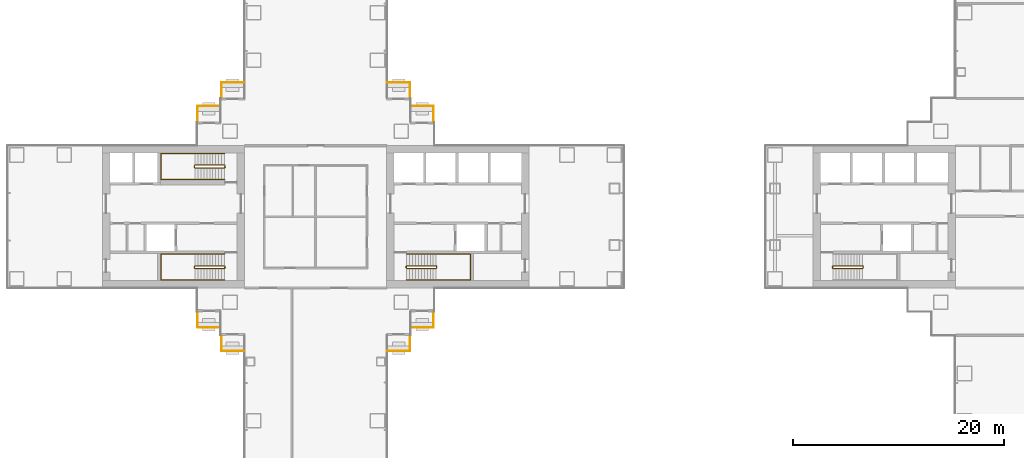
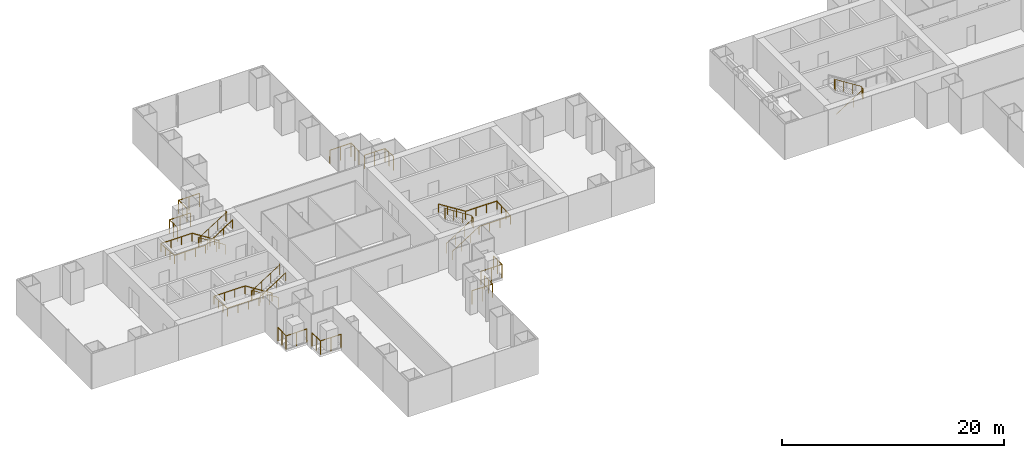
# One storey, part 19 of 21: 15 railings.
"""IFC4 building model written with IfcOpenShell, lengths in metres."""

from ifc_helpers import new_model, si_unit, direction, frame, origin, origin_2d, place, context, subcontext, project, spatial, circle, extrude, material, type_object, element, save


model = new_model("IFC4")

# Units and contexts
model_context = context("Model", 3, precision=1e-05, world=origin(), true_north=direction((0.0, 1.0)))
body_context = subcontext(model_context, "Body", "Model", "MODEL_VIEW")
ifc_project = project(units=[si_unit("LENGTHUNIT", "METRE"), si_unit("AREAUNIT", "SQUARE_METRE"), si_unit("VOLUMEUNIT", "CUBIC_METRE"), si_unit("PLANEANGLEUNIT", "RADIAN"), si_unit("MASSUNIT", "GRAM", prefix="KILO")], contexts=[model_context])

# Site, building, storey
site_placement = place(None, origin())
site = spatial("IfcSite", under=ifc_project, at=site_placement, CompositionType="ELEMENT")
building_placement = place(site_placement, origin())
building = spatial("IfcBuilding", under=site, at=building_placement, Name="Shamsa Quay Exchange Towers", CompositionType="ELEMENT")
storey_placement = place(building_placement, frame((0.0, 0.0, 61.5)))
storey = spatial("IfcBuildingStorey", under=building, at=storey_placement, Name="L13", CompositionType="ELEMENT", Elevation=61.5)

# Railings
ifc_material_1 = material(Name="Steel S355, black powder-coated", Category="steel")
railing_type_1 = type_object("IfcRailingType", Name="BALCONY GUARD 1500", PredefinedType="GUARDRAIL", material=ifc_material_1)
for number, where, name in (
    (1, (-22.550048828125, 9.02099609375, 0.0), "Balcony guard T1-PKEN L13"),
    (2, (-24.800048828125, 11.27099609375, 0.0), "Balcony guard T1-PKEN L13"),
):
    element("IfcRailing", number, at=place(storey_placement, frame(where)), inside=storey, type_object=railing_type_1, Name=name, PredefinedType="GUARDRAIL", context=body_context, shape_type="SweptSolid", body=[
        extrude(circle(Radius=0.02392578125, at=origin_2d()), frame((0.0, 0.0, 1.47607421875), z_axis=(0.0, 1.0, 0.0), x_axis=(-1.0, 0.0, 0.0)), (0.0, 0.0, 1.0), 1.47900390625),
        extrude(circle(Radius=0.02392578125, at=origin_2d()), frame((0.0, 1.47900390625, 1.47607421875), z_axis=(-1.0, 0.0, 0.0), x_axis=(0.0, -1.0, 0.0)), (0.0, 0.0, 1.0), 2.161865234375),
        extrude(circle(Radius=0.02099609375, at=origin_2d()), origin(), (0.0, 0.0, 1.0), 1.451904296875),
        extrude(circle(Radius=0.02099609375, at=origin_2d()), frame((0.0, 0.739501953125, 0.0)), (0.0, 0.0, 1.0), 1.451904296875),
        extrude(circle(Radius=0.02099609375, at=origin_2d()), frame((0.0, 1.47900390625, 0.0)), (0.0, 0.0, 1.0), 1.451904296875),
        extrude(circle(Radius=0.02099609375, at=origin_2d()), frame((-1.0810546875, 1.47900390625, 0.0)), (0.0, 0.0, 1.0), 1.451904296875),
        extrude(circle(Radius=0.02099609375, at=origin_2d()), frame((-2.161865234375, 1.47900390625, 0.0)), (0.0, 0.0, 1.0), 1.451904296875),
    ])
for number, where, name in (
    (3, (-24.7119140625, -10.5, 0.0), "Balcony guard T1-PKES L13"),
    (4, (-26.9619140625, -12.75, 0.0), "Balcony guard T1-PKES L13"),
):
    element("IfcRailing", number, at=place(storey_placement, frame(where)), inside=storey, type_object=railing_type_1, Name=name, PredefinedType="GUARDRAIL", context=body_context, shape_type="SweptSolid", body=[
        extrude(circle(Radius=0.02392578125, at=origin_2d()), frame((0.0, 0.0, 1.47607421875), z_axis=(1.0, 0.0, 0.0), x_axis=(0.0, 1.0, 0.0)), (0.0, 0.0, 1.0), 2.161865234375),
        extrude(circle(Radius=0.02392578125, at=origin_2d()), frame((2.161865234375, 0.0, 1.47607421875), z_axis=(0.0, 1.0, 0.0), x_axis=(-1.0, 0.0, 0.0)), (0.0, 0.0, 1.0), 1.47900390625),
        extrude(circle(Radius=0.02099609375, at=origin_2d()), origin(), (0.0, 0.0, 1.0), 1.451904296875),
        extrude(circle(Radius=0.02099609375, at=origin_2d()), frame((1.0810546875, 0.0, 0.0)), (0.0, 0.0, 1.0), 1.451904296875),
        extrude(circle(Radius=0.02099609375, at=origin_2d()), frame((2.161865234375, 0.0, 0.0)), (0.0, 0.0, 1.0), 1.451904296875),
        extrude(circle(Radius=0.02099609375, at=origin_2d()), frame((2.161865234375, 0.739501953125, 0.0)), (0.0, 0.0, 1.0), 1.451904296875),
        extrude(circle(Radius=0.02099609375, at=origin_2d()), frame((2.161865234375, 1.47900390625, 0.0)), (0.0, 0.0, 1.0), 1.451904296875),
    ])
for number, where, name in (
    (5, (-40.5380859375, 12.75, 0.0), "Balcony guard T1-PKWN L13"),
    (6, (-42.7880859375, 10.5, 0.0), "Balcony guard T1-PKWN L13"),
):
    element("IfcRailing", number, at=place(storey_placement, frame(where)), inside=storey, type_object=railing_type_1, Name=name, PredefinedType="GUARDRAIL", context=body_context, shape_type="SweptSolid", body=[
        extrude(circle(Radius=0.02392578125, at=origin_2d()), frame((0.0, 0.0, 1.47607421875), z_axis=(-1.0, 0.0, 0.0), x_axis=(0.0, -1.0, 0.0)), (0.0, 0.0, 1.0), 2.161865234375),
        extrude(circle(Radius=0.02392578125, at=origin_2d()), frame((-2.161865234375, 0.0, 1.47607421875), z_axis=(0.0, -1.0, 0.0), x_axis=(1.0, 0.0, 0.0)), (0.0, 0.0, 1.0), 1.47900390625),
        extrude(circle(Radius=0.02099609375, at=origin_2d()), origin(), (0.0, 0.0, 1.0), 1.451904296875),
        extrude(circle(Radius=0.02099609375, at=origin_2d()), frame((-1.0810546875, 0.0, 0.0)), (0.0, 0.0, 1.0), 1.451904296875),
        extrude(circle(Radius=0.02099609375, at=origin_2d()), frame((-2.161865234375, 0.0, 0.0)), (0.0, 0.0, 1.0), 1.451904296875),
        extrude(circle(Radius=0.02099609375, at=origin_2d()), frame((-2.161865234375, -0.739501953125, 0.0)), (0.0, 0.0, 1.0), 1.451904296875),
        extrude(circle(Radius=0.02099609375, at=origin_2d()), frame((-2.161865234375, -1.47900390625, 0.0)), (0.0, 0.0, 1.0), 1.451904296875),
    ])
for number, where, name in (
    (7, (-44.949951171875, -9.02099609375, 0.0), "Balcony guard T1-PKWS L13"),
    (8, (-42.699951171875, -11.27099609375, 0.0), "Balcony guard T1-PKWS L13"),
):
    element("IfcRailing", number, at=place(storey_placement, frame(where)), inside=storey, type_object=railing_type_1, Name=name, PredefinedType="GUARDRAIL", context=body_context, shape_type="SweptSolid", body=[
        extrude(circle(Radius=0.02392578125, at=origin_2d()), frame((0.0, 0.0, 1.47607421875), z_axis=(0.0, -1.0, 0.0), x_axis=(1.0, 0.0, 0.0)), (0.0, 0.0, 1.0), 1.47900390625),
        extrude(circle(Radius=0.02392578125, at=origin_2d()), frame((0.0, -1.47900390625, 1.47607421875), z_axis=(1.0, 0.0, 0.0), x_axis=(0.0, 1.0, 0.0)), (0.0, 0.0, 1.0), 2.161865234375),
        extrude(circle(Radius=0.02099609375, at=origin_2d()), origin(), (0.0, 0.0, 1.0), 1.451904296875),
        extrude(circle(Radius=0.02099609375, at=origin_2d()), frame((0.0, -0.739501953125, 0.0)), (0.0, 0.0, 1.0), 1.451904296875),
        extrude(circle(Radius=0.02099609375, at=origin_2d()), frame((0.0, -1.47900390625, 0.0)), (0.0, 0.0, 1.0), 1.451904296875),
        extrude(circle(Radius=0.02099609375, at=origin_2d()), frame((1.0810546875, -1.47900390625, 0.0)), (0.0, 0.0, 1.0), 1.451904296875),
        extrude(circle(Radius=0.02099609375, at=origin_2d()), frame((2.161865234375, -1.47900390625, 0.0)), (0.0, 0.0, 1.0), 1.451904296875),
    ])
ifc_material_2 = material(Name="Stainless steel", Category="steel")
railing_type_2 = type_object("IfcRailingType", Name="STAIR GUARD 1100", PredefinedType="GUARDRAIL", material=ifc_material_2)
railing_1_placement = place(storey_placement, frame((-25.10009765625, -4.89990234375, 0.17724609375)))
element("IfcRailing", 9, at=railing_1_placement, inside=storey, type_object=railing_type_2, Name="L13 ST1 stair guard 1", PredefinedType="GUARDRAIL", context=body_context, shape_type="SweptSolid", body=[
    extrude(circle(Radius=0.02392578125, at=origin_2d()), frame((0.0, 0.0, 1.076171875), z_axis=(0.844908973607, 0.0, 0.534910110503), x_axis=(0.0, 1.0, 0.0)), (0.0, 0.0, 1.0), 3.31396484375),
    extrude(circle(Radius=0.02392578125, at=origin_2d()), frame((2.800048828125, 0.0, 2.8486328125), z_axis=(0.708833529934, 0.705375805398, 0.0), x_axis=(-0.705375805398, 0.708833529934, 0.0)), (0.0, 0.0, 1.0), 0.070556640625),
    extrude(circle(Radius=0.02392578125, at=origin_2d()), frame((2.85009765625, 0.0498046875, 2.8486328125), z_axis=(0.0, 1.0, 0.0), x_axis=(-1.0, 0.0, 0.0)), (0.0, 0.0, 1.0), 0.150146484375),
    extrude(circle(Radius=0.02392578125, at=origin_2d()), frame((2.85009765625, 0.199951171875, 2.8486328125), z_axis=(-0.262233686654, 0.262233686654, 0.928691007369), x_axis=(-0.707106781187, -0.707106781187, 0.0)), (0.0, 0.0, 1.0), 0.19091796875),
    extrude(circle(Radius=0.02392578125, at=origin_2d()), frame((2.800048828125, 0.25, 3.02587890625), z_axis=(-0.844908973607, 0.0, 0.534910110503), x_axis=(0.0, -1.0, 0.0)), (0.0, 0.0, 1.0), 3.31396484375),
    extrude(circle(Radius=0.02392578125, at=origin_2d()), frame((0.0, 0.25, 4.798828125), z_axis=(-0.24142163986, -0.970420317083, 0.0), x_axis=(0.970420317083, -0.24142163986, 0.0)), (0.0, 0.0, 1.0), 0.206298828125),
    extrude(circle(Radius=0.02392578125, at=origin_2d()), frame((-0.0498046875, 0.0498046875, 4.798828125), z_axis=(0.0, 1.0, 0.0), x_axis=(-1.0, 0.0, 0.0)), (0.0, 0.0, 1.0), 0.150146484375),
    extrude(circle(Radius=0.02099609375, at=origin_2d()), origin(), (0.0, 0.0, 1.0), 1.052001953125),
    extrude(circle(Radius=0.02099609375, at=origin_2d()), frame((0.933349609375, 0.0, 0.5908203125)), (0.0, 0.0, 1.0), 1.052001953125),
    extrude(circle(Radius=0.02099609375, at=origin_2d()), frame((1.86669921875, 0.0, 1.181884765625)), (0.0, 0.0, 1.0), 1.052001953125),
    extrude(circle(Radius=0.02099609375, at=origin_2d()), frame((2.800048828125, 0.0, 1.772705078125)), (0.0, 0.0, 1.0), 1.052001953125),
    extrude(circle(Radius=0.02099609375, at=origin_2d()), frame((2.85009765625, 0.0498046875, 1.772705078125)), (0.0, 0.0, 1.0), 1.052001953125),
    extrude(circle(Radius=0.02099609375, at=origin_2d()), frame((2.85009765625, 0.199951171875, 1.772705078125)), (0.0, 0.0, 1.0), 1.052001953125),
    extrude(circle(Radius=0.02099609375, at=origin_2d()), frame((2.800048828125, 0.25, 1.949951171875)), (0.0, 0.0, 1.0), 1.052001953125),
    extrude(circle(Radius=0.02099609375, at=origin_2d()), frame((1.86669921875, 0.25, 2.540771484375)), (0.0, 0.0, 1.0), 1.052001953125),
    extrude(circle(Radius=0.02099609375, at=origin_2d()), frame((0.933349609375, 0.25, 3.1318359375)), (0.0, 0.0, 1.0), 1.052001953125),
    extrude(circle(Radius=0.02099609375, at=origin_2d()), frame((0.0, 0.25, 3.72265625)), (0.0, 0.0, 1.0), 1.052001953125),
    extrude(circle(Radius=0.02099609375, at=origin_2d()), frame((-0.0498046875, 0.0498046875, 3.72265625)), (0.0, 0.0, 1.0), 1.052001953125),
    extrude(circle(Radius=0.02099609375, at=origin_2d()), frame((-0.0498046875, 0.199951171875, 3.72265625)), (0.0, 0.0, 1.0), 1.052001953125),
])
railing_2_placement = place(storey_placement, frame((-42.39990234375, -4.64990234375, 0.17724609375)))
element("IfcRailing", 10, at=railing_2_placement, inside=storey, type_object=railing_type_2, Name="L13 ST2 stair guard 1", PredefinedType="GUARDRAIL", context=body_context, shape_type="SweptSolid", body=[
    extrude(circle(Radius=0.02392578125, at=origin_2d()), frame((0.0, 0.0, 1.076171875), z_axis=(-0.844908973607, 0.0, 0.534910110503), x_axis=(0.0, -1.0, 0.0)), (0.0, 0.0, 1.0), 3.31396484375),
    extrude(circle(Radius=0.02392578125, at=origin_2d()), frame((-2.800048828125, 0.0, 2.8486328125), z_axis=(-0.707106781187, -0.707106781187, 0.0), x_axis=(0.707106781187, -0.707106781187, 0.0)), (0.0, 0.0, 1.0), 0.07080078125),
    extrude(circle(Radius=0.02392578125, at=origin_2d()), frame((-2.85009765625, -0.050048828125, 2.8486328125), z_axis=(0.0, -1.0, 0.0), x_axis=(1.0, 0.0, 0.0)), (0.0, 0.0, 1.0), 0.150146484375),
    extrude(circle(Radius=0.02392578125, at=origin_2d()), frame((-2.85009765625, -0.2001953125, 2.8486328125), z_axis=(0.262321481514, -0.261041864531, 0.929001929653), x_axis=(0.705375805398, 0.708833529934, 0.0)), (0.0, 0.0, 1.0), 0.190673828125),
    extrude(circle(Radius=0.02392578125, at=origin_2d()), frame((-2.800048828125, -0.25, 3.02587890625), z_axis=(0.844908973607, 0.0, 0.534910110503), x_axis=(0.0, 1.0, 0.0)), (0.0, 0.0, 1.0), 3.31396484375),
    extrude(circle(Radius=0.02392578125, at=origin_2d()), frame((0.0, -0.25, 4.798828125), z_axis=(0.241699205484, 0.970351222016, 0.0), x_axis=(-0.970351222016, 0.241699205484, 0.0)), (0.0, 0.0, 1.0), 0.2060546875),
    extrude(circle(Radius=0.02392578125, at=origin_2d()), frame((0.0498046875, -0.050048828125, 4.798828125), z_axis=(0.0, -1.0, 0.0), x_axis=(1.0, 0.0, 0.0)), (0.0, 0.0, 1.0), 0.150146484375),
    extrude(circle(Radius=0.02099609375, at=origin_2d()), origin(), (0.0, 0.0, 1.0), 1.052001953125),
    extrude(circle(Radius=0.02099609375, at=origin_2d()), frame((-0.933349609375, 0.0, 0.5908203125)), (0.0, 0.0, 1.0), 1.052001953125),
    extrude(circle(Radius=0.02099609375, at=origin_2d()), frame((-1.86669921875, 0.0, 1.181884765625)), (0.0, 0.0, 1.0), 1.052001953125),
    extrude(circle(Radius=0.02099609375, at=origin_2d()), frame((-2.800048828125, 0.0, 1.772705078125)), (0.0, 0.0, 1.0), 1.052001953125),
    extrude(circle(Radius=0.02099609375, at=origin_2d()), frame((-2.85009765625, -0.050048828125, 1.772705078125)), (0.0, 0.0, 1.0), 1.052001953125),
    extrude(circle(Radius=0.02099609375, at=origin_2d()), frame((-2.85009765625, -0.2001953125, 1.772705078125)), (0.0, 0.0, 1.0), 1.052001953125),
    extrude(circle(Radius=0.02099609375, at=origin_2d()), frame((-2.800048828125, -0.25, 1.949951171875)), (0.0, 0.0, 1.0), 1.052001953125),
    extrude(circle(Radius=0.02099609375, at=origin_2d()), frame((-1.86669921875, -0.25, 2.540771484375)), (0.0, 0.0, 1.0), 1.052001953125),
    extrude(circle(Radius=0.02099609375, at=origin_2d()), frame((-0.933349609375, -0.25, 3.1318359375)), (0.0, 0.0, 1.0), 1.052001953125),
    extrude(circle(Radius=0.02099609375, at=origin_2d()), frame((0.0, -0.25, 3.72265625)), (0.0, 0.0, 1.0), 1.052001953125),
    extrude(circle(Radius=0.02099609375, at=origin_2d()), frame((0.0498046875, -0.050048828125, 3.72265625)), (0.0, 0.0, 1.0), 1.052001953125),
    extrude(circle(Radius=0.02099609375, at=origin_2d()), frame((0.0498046875, -0.2001953125, 3.72265625)), (0.0, 0.0, 1.0), 1.052001953125),
])
railing_3_placement = place(storey_placement, frame((-42.39990234375, 4.89990234375, 0.17724609375)))
element("IfcRailing", 11, at=railing_3_placement, inside=storey, type_object=railing_type_2, Name="L13 ST3 stair guard 1", PredefinedType="GUARDRAIL", context=body_context, shape_type="SweptSolid", body=[
    extrude(circle(Radius=0.02392578125, at=origin_2d()), frame((0.0, 0.0, 1.076171875), z_axis=(-0.844908973607, 0.0, 0.534910110503), x_axis=(0.0, -1.0, 0.0)), (0.0, 0.0, 1.0), 3.31396484375),
    extrude(circle(Radius=0.02392578125, at=origin_2d()), frame((-2.800048828125, 0.0, 2.8486328125), z_axis=(-0.708833529934, -0.705375805398, 0.0), x_axis=(0.705375805398, -0.708833529934, 0.0)), (0.0, 0.0, 1.0), 0.070556640625),
    extrude(circle(Radius=0.02392578125, at=origin_2d()), frame((-2.85009765625, -0.0498046875, 2.8486328125), z_axis=(0.0, -1.0, 0.0), x_axis=(1.0, 0.0, 0.0)), (0.0, 0.0, 1.0), 0.150146484375),
    extrude(circle(Radius=0.02392578125, at=origin_2d()), frame((-2.85009765625, -0.199951171875, 2.8486328125), z_axis=(0.262233686654, -0.262233686654, 0.928691007369), x_axis=(0.707106781187, 0.707106781187, 0.0)), (0.0, 0.0, 1.0), 0.19091796875),
    extrude(circle(Radius=0.02392578125, at=origin_2d()), frame((-2.800048828125, -0.25, 3.02587890625), z_axis=(0.844908973607, 0.0, 0.534910110503), x_axis=(0.0, 1.0, 0.0)), (0.0, 0.0, 1.0), 3.31396484375),
    extrude(circle(Radius=0.02392578125, at=origin_2d()), frame((0.0, -0.25, 4.798828125), z_axis=(0.24142163986, 0.970420317083, 0.0), x_axis=(-0.970420317083, 0.24142163986, 0.0)), (0.0, 0.0, 1.0), 0.206298828125),
    extrude(circle(Radius=0.02392578125, at=origin_2d()), frame((0.0498046875, -0.0498046875, 4.798828125), z_axis=(0.0, -1.0, 0.0), x_axis=(1.0, 0.0, 0.0)), (0.0, 0.0, 1.0), 0.150146484375),
    extrude(circle(Radius=0.02099609375, at=origin_2d()), origin(), (0.0, 0.0, 1.0), 1.052001953125),
    extrude(circle(Radius=0.02099609375, at=origin_2d()), frame((-0.933349609375, 0.0, 0.5908203125)), (0.0, 0.0, 1.0), 1.052001953125),
    extrude(circle(Radius=0.02099609375, at=origin_2d()), frame((-1.86669921875, 0.0, 1.181884765625)), (0.0, 0.0, 1.0), 1.052001953125),
    extrude(circle(Radius=0.02099609375, at=origin_2d()), frame((-2.800048828125, 0.0, 1.772705078125)), (0.0, 0.0, 1.0), 1.052001953125),
    extrude(circle(Radius=0.02099609375, at=origin_2d()), frame((-2.85009765625, -0.0498046875, 1.772705078125)), (0.0, 0.0, 1.0), 1.052001953125),
    extrude(circle(Radius=0.02099609375, at=origin_2d()), frame((-2.85009765625, -0.199951171875, 1.772705078125)), (0.0, 0.0, 1.0), 1.052001953125),
    extrude(circle(Radius=0.02099609375, at=origin_2d()), frame((-2.800048828125, -0.25, 1.949951171875)), (0.0, 0.0, 1.0), 1.052001953125),
    extrude(circle(Radius=0.02099609375, at=origin_2d()), frame((-1.86669921875, -0.25, 2.540771484375)), (0.0, 0.0, 1.0), 1.052001953125),
    extrude(circle(Radius=0.02099609375, at=origin_2d()), frame((-0.933349609375, -0.25, 3.1318359375)), (0.0, 0.0, 1.0), 1.052001953125),
    extrude(circle(Radius=0.02099609375, at=origin_2d()), frame((0.0, -0.25, 3.72265625)), (0.0, 0.0, 1.0), 1.052001953125),
    extrude(circle(Radius=0.02099609375, at=origin_2d()), frame((0.0498046875, -0.0498046875, 3.72265625)), (0.0, 0.0, 1.0), 1.052001953125),
    extrude(circle(Radius=0.02099609375, at=origin_2d()), frame((0.0498046875, -0.199951171875, 3.72265625)), (0.0, 0.0, 1.0), 1.052001953125),
])
railing_4_placement = place(storey_placement, frame((15.39990234375, -4.89990234375, 0.17724609375)))
element("IfcRailing", 12, at=railing_4_placement, inside=storey, type_object=railing_type_2, Name="L13 ST4 stair guard 1", PredefinedType="GUARDRAIL", context=body_context, shape_type="SweptSolid", body=[
    extrude(circle(Radius=0.02392578125, at=origin_2d()), frame((0.0, 0.0, 1.076171875), z_axis=(0.844908973607, 0.0, 0.534910110503), x_axis=(0.0, 1.0, 0.0)), (0.0, 0.0, 1.0), 3.31396484375),
    extrude(circle(Radius=0.02392578125, at=origin_2d()), frame((2.800048828125, 0.0, 2.8486328125), z_axis=(0.708833529934, 0.705375805398, 0.0), x_axis=(-0.705375805398, 0.708833529934, 0.0)), (0.0, 0.0, 1.0), 0.070556640625),
    extrude(circle(Radius=0.02392578125, at=origin_2d()), frame((2.85009765625, 0.0498046875, 2.8486328125), z_axis=(0.0, 1.0, 0.0), x_axis=(-1.0, 0.0, 0.0)), (0.0, 0.0, 1.0), 0.150146484375),
    extrude(circle(Radius=0.02392578125, at=origin_2d()), frame((2.85009765625, 0.199951171875, 2.8486328125), z_axis=(-0.262233686654, 0.262233686654, 0.928691007369), x_axis=(-0.707106781187, -0.707106781187, 0.0)), (0.0, 0.0, 1.0), 0.19091796875),
    extrude(circle(Radius=0.02392578125, at=origin_2d()), frame((2.800048828125, 0.25, 3.02587890625), z_axis=(-0.844908973607, 0.0, 0.534910110503), x_axis=(0.0, -1.0, 0.0)), (0.0, 0.0, 1.0), 3.31396484375),
    extrude(circle(Radius=0.02392578125, at=origin_2d()), frame((0.0, 0.25, 4.798828125), z_axis=(-0.24142163986, -0.970420317083, 0.0), x_axis=(0.970420317083, -0.24142163986, 0.0)), (0.0, 0.0, 1.0), 0.206298828125),
    extrude(circle(Radius=0.02392578125, at=origin_2d()), frame((-0.0498046875, 0.0498046875, 4.798828125), z_axis=(0.0, 1.0, 0.0), x_axis=(-1.0, 0.0, 0.0)), (0.0, 0.0, 1.0), 0.150146484375),
    extrude(circle(Radius=0.02099609375, at=origin_2d()), origin(), (0.0, 0.0, 1.0), 1.052001953125),
    extrude(circle(Radius=0.02099609375, at=origin_2d()), frame((0.933349609375, 0.0, 0.5908203125)), (0.0, 0.0, 1.0), 1.052001953125),
    extrude(circle(Radius=0.02099609375, at=origin_2d()), frame((1.86669921875, 0.0, 1.181884765625)), (0.0, 0.0, 1.0), 1.052001953125),
    extrude(circle(Radius=0.02099609375, at=origin_2d()), frame((2.800048828125, 0.0, 1.772705078125)), (0.0, 0.0, 1.0), 1.052001953125),
    extrude(circle(Radius=0.02099609375, at=origin_2d()), frame((2.85009765625, 0.0498046875, 1.772705078125)), (0.0, 0.0, 1.0), 1.052001953125),
    extrude(circle(Radius=0.02099609375, at=origin_2d()), frame((2.85009765625, 0.199951171875, 1.772705078125)), (0.0, 0.0, 1.0), 1.052001953125),
    extrude(circle(Radius=0.02099609375, at=origin_2d()), frame((2.800048828125, 0.25, 1.949951171875)), (0.0, 0.0, 1.0), 1.052001953125),
    extrude(circle(Radius=0.02099609375, at=origin_2d()), frame((1.86669921875, 0.25, 2.540771484375)), (0.0, 0.0, 1.0), 1.052001953125),
    extrude(circle(Radius=0.02099609375, at=origin_2d()), frame((0.933349609375, 0.25, 3.1318359375)), (0.0, 0.0, 1.0), 1.052001953125),
    extrude(circle(Radius=0.02099609375, at=origin_2d()), frame((0.0, 0.25, 3.72265625)), (0.0, 0.0, 1.0), 1.052001953125),
    extrude(circle(Radius=0.02099609375, at=origin_2d()), frame((-0.0498046875, 0.0498046875, 3.72265625)), (0.0, 0.0, 1.0), 1.052001953125),
    extrude(circle(Radius=0.02099609375, at=origin_2d()), frame((-0.0498046875, 0.199951171875, 3.72265625)), (0.0, 0.0, 1.0), 1.052001953125),
])
railing_type_3 = type_object("IfcRailingType", Name="STAIR HANDRAIL 900", PredefinedType="HANDRAIL", material=ifc_material_2)
railing_5_placement = place(storey_placement, frame((-25.10009765625, -6.0, 0.17724609375)))
element("IfcRailing", 13, at=railing_5_placement, inside=storey, type_object=railing_type_3, Name="L13 ST1 stair handrail 1", PredefinedType="HANDRAIL", context=body_context, shape_type="SweptSolid", body=[
    extrude(circle(Radius=0.02392578125, at=origin_2d()), frame((0.0, 0.0, 0.8759765625), z_axis=(0.844908973607, 0.0, 0.534910110503), x_axis=(0.0, 1.0, 0.0)), (0.0, 0.0, 1.0), 3.31396484375),
    extrude(circle(Radius=0.02392578125, at=origin_2d()), frame((2.800048828125, 0.0, 2.6484375), z_axis=(1.0, 0.0, 0.0), x_axis=(0.0, 1.0, 0.0)), (0.0, 0.0, 1.0), 3.25),
    extrude(circle(Radius=0.02392578125, at=origin_2d()), frame((6.050048828125, 0.0, 2.6484375), z_axis=(0.0, 0.997393199914, 0.07215819264), x_axis=(-1.0, 0.0, 0.0)), (0.0, 0.0, 1.0), 2.456298828125),
    extrude(circle(Radius=0.02392578125, at=origin_2d()), frame((6.050048828125, 2.449951171875, 2.82568359375), z_axis=(-1.0, 0.0, 0.0), x_axis=(0.0, -1.0, 0.0)), (0.0, 0.0, 1.0), 3.25),
    extrude(circle(Radius=0.02392578125, at=origin_2d()), frame((2.800048828125, 2.449951171875, 2.82568359375), z_axis=(-0.844908973607, 0.0, 0.534910110503), x_axis=(0.0, -1.0, 0.0)), (0.0, 0.0, 1.0), 3.31396484375),
    extrude(circle(Radius=0.02099609375, at=origin_2d()), origin(), (0.0, 0.0, 1.0), 0.851806640625),
    extrude(circle(Radius=0.02099609375, at=origin_2d()), frame((0.933349609375, 0.0, 0.5908203125)), (0.0, 0.0, 1.0), 0.851806640625),
    extrude(circle(Radius=0.02099609375, at=origin_2d()), frame((1.86669921875, 0.0, 1.181884765625)), (0.0, 0.0, 1.0), 0.851806640625),
    extrude(circle(Radius=0.02099609375, at=origin_2d()), frame((2.800048828125, 0.0, 1.772705078125)), (0.0, 0.0, 1.0), 0.851806640625),
    extrude(circle(Radius=0.02099609375, at=origin_2d()), frame((3.88330078125, 0.0, 1.772705078125)), (0.0, 0.0, 1.0), 0.851806640625),
    extrude(circle(Radius=0.02099609375, at=origin_2d()), frame((4.966796875, 0.0, 1.772705078125)), (0.0, 0.0, 1.0), 0.851806640625),
    extrude(circle(Radius=0.02099609375, at=origin_2d()), frame((6.050048828125, 0.0, 1.772705078125)), (0.0, 0.0, 1.0), 0.851806640625),
    extrude(circle(Radius=0.02099609375, at=origin_2d()), frame((6.050048828125, 0.816650390625, 1.831787109375)), (0.0, 0.0, 1.0), 0.851806640625),
    extrude(circle(Radius=0.02099609375, at=origin_2d()), frame((6.050048828125, 1.63330078125, 1.890869140625)), (0.0, 0.0, 1.0), 0.851806640625),
    extrude(circle(Radius=0.02099609375, at=origin_2d()), frame((6.050048828125, 2.449951171875, 1.949951171875)), (0.0, 0.0, 1.0), 0.851806640625),
    extrude(circle(Radius=0.02099609375, at=origin_2d()), frame((4.966796875, 2.449951171875, 1.949951171875)), (0.0, 0.0, 1.0), 0.851806640625),
    extrude(circle(Radius=0.02099609375, at=origin_2d()), frame((3.88330078125, 2.449951171875, 1.949951171875)), (0.0, 0.0, 1.0), 0.851806640625),
    extrude(circle(Radius=0.02099609375, at=origin_2d()), frame((2.800048828125, 2.449951171875, 1.949951171875)), (0.0, 0.0, 1.0), 0.851806640625),
    extrude(circle(Radius=0.02099609375, at=origin_2d()), frame((1.86669921875, 2.449951171875, 2.540771484375)), (0.0, 0.0, 1.0), 0.851806640625),
    extrude(circle(Radius=0.02099609375, at=origin_2d()), frame((0.933349609375, 2.449951171875, 3.1318359375)), (0.0, 0.0, 1.0), 0.851806640625),
    extrude(circle(Radius=0.02099609375, at=origin_2d()), frame((0.0, 2.449951171875, 3.72265625)), (0.0, 0.0, 1.0), 0.851806640625),
])
railing_6_placement = place(storey_placement, frame((-42.39990234375, -3.550048828125, 0.17724609375)))
element("IfcRailing", 14, at=railing_6_placement, inside=storey, type_object=railing_type_3, Name="L13 ST2 stair handrail 1", PredefinedType="HANDRAIL", context=body_context, shape_type="SweptSolid", body=[
    extrude(circle(Radius=0.02392578125, at=origin_2d()), frame((0.0, 0.0, 0.8759765625), z_axis=(-0.844908973607, 0.0, 0.534910110503), x_axis=(0.0, -1.0, 0.0)), (0.0, 0.0, 1.0), 3.31396484375),
    extrude(circle(Radius=0.02392578125, at=origin_2d()), frame((-2.800048828125, 0.0, 2.6484375), z_axis=(-1.0, 0.0, 0.0), x_axis=(0.0, -1.0, 0.0)), (0.0, 0.0, 1.0), 3.25),
    extrude(circle(Radius=0.02392578125, at=origin_2d()), frame((-6.050048828125, 0.0, 2.6484375), z_axis=(0.0, -0.997393199914, 0.07215819264), x_axis=(1.0, 0.0, 0.0)), (0.0, 0.0, 1.0), 2.456298828125),
    extrude(circle(Radius=0.02392578125, at=origin_2d()), frame((-6.050048828125, -2.449951171875, 2.82568359375), z_axis=(1.0, 0.0, 0.0), x_axis=(0.0, 1.0, 0.0)), (0.0, 0.0, 1.0), 3.25),
    extrude(circle(Radius=0.02392578125, at=origin_2d()), frame((-2.800048828125, -2.449951171875, 2.82568359375), z_axis=(0.844908973607, 0.0, 0.534910110503), x_axis=(0.0, 1.0, 0.0)), (0.0, 0.0, 1.0), 3.31396484375),
    extrude(circle(Radius=0.02099609375, at=origin_2d()), origin(), (0.0, 0.0, 1.0), 0.851806640625),
    extrude(circle(Radius=0.02099609375, at=origin_2d()), frame((-0.933349609375, 0.0, 0.5908203125)), (0.0, 0.0, 1.0), 0.851806640625),
    extrude(circle(Radius=0.02099609375, at=origin_2d()), frame((-1.86669921875, 0.0, 1.181884765625)), (0.0, 0.0, 1.0), 0.851806640625),
    extrude(circle(Radius=0.02099609375, at=origin_2d()), frame((-2.800048828125, 0.0, 1.772705078125)), (0.0, 0.0, 1.0), 0.851806640625),
    extrude(circle(Radius=0.02099609375, at=origin_2d()), frame((-3.88330078125, 0.0, 1.772705078125)), (0.0, 0.0, 1.0), 0.851806640625),
    extrude(circle(Radius=0.02099609375, at=origin_2d()), frame((-4.966796875, 0.0, 1.772705078125)), (0.0, 0.0, 1.0), 0.851806640625),
    extrude(circle(Radius=0.02099609375, at=origin_2d()), frame((-6.050048828125, 0.0, 1.772705078125)), (0.0, 0.0, 1.0), 0.851806640625),
    extrude(circle(Radius=0.02099609375, at=origin_2d()), frame((-6.050048828125, -0.816650390625, 1.831787109375)), (0.0, 0.0, 1.0), 0.851806640625),
    extrude(circle(Radius=0.02099609375, at=origin_2d()), frame((-6.050048828125, -1.63330078125, 1.890869140625)), (0.0, 0.0, 1.0), 0.851806640625),
    extrude(circle(Radius=0.02099609375, at=origin_2d()), frame((-6.050048828125, -2.449951171875, 1.949951171875)), (0.0, 0.0, 1.0), 0.851806640625),
    extrude(circle(Radius=0.02099609375, at=origin_2d()), frame((-4.966796875, -2.449951171875, 1.949951171875)), (0.0, 0.0, 1.0), 0.851806640625),
    extrude(circle(Radius=0.02099609375, at=origin_2d()), frame((-3.88330078125, -2.449951171875, 1.949951171875)), (0.0, 0.0, 1.0), 0.851806640625),
    extrude(circle(Radius=0.02099609375, at=origin_2d()), frame((-2.800048828125, -2.449951171875, 1.949951171875)), (0.0, 0.0, 1.0), 0.851806640625),
    extrude(circle(Radius=0.02099609375, at=origin_2d()), frame((-1.86669921875, -2.449951171875, 2.540771484375)), (0.0, 0.0, 1.0), 0.851806640625),
    extrude(circle(Radius=0.02099609375, at=origin_2d()), frame((-0.933349609375, -2.449951171875, 3.1318359375)), (0.0, 0.0, 1.0), 0.851806640625),
    extrude(circle(Radius=0.02099609375, at=origin_2d()), frame((0.0, -2.449951171875, 3.72265625)), (0.0, 0.0, 1.0), 0.851806640625),
])
railing_7_placement = place(storey_placement, frame((-42.39990234375, 6.0, 0.17724609375)))
element("IfcRailing", 15, at=railing_7_placement, inside=storey, type_object=railing_type_3, Name="L13 ST3 stair handrail 1", PredefinedType="HANDRAIL", context=body_context, shape_type="SweptSolid", body=[
    extrude(circle(Radius=0.02392578125, at=origin_2d()), frame((0.0, 0.0, 0.8759765625), z_axis=(-0.844908973607, 0.0, 0.534910110503), x_axis=(0.0, -1.0, 0.0)), (0.0, 0.0, 1.0), 3.31396484375),
    extrude(circle(Radius=0.02392578125, at=origin_2d()), frame((-2.800048828125, 0.0, 2.6484375), z_axis=(-1.0, 0.0, 0.0), x_axis=(0.0, -1.0, 0.0)), (0.0, 0.0, 1.0), 3.25),
    extrude(circle(Radius=0.02392578125, at=origin_2d()), frame((-6.050048828125, 0.0, 2.6484375), z_axis=(0.0, -0.997393199914, 0.07215819264), x_axis=(1.0, 0.0, 0.0)), (0.0, 0.0, 1.0), 2.456298828125),
    extrude(circle(Radius=0.02392578125, at=origin_2d()), frame((-6.050048828125, -2.449951171875, 2.82568359375), z_axis=(1.0, 0.0, 0.0), x_axis=(0.0, 1.0, 0.0)), (0.0, 0.0, 1.0), 3.25),
    extrude(circle(Radius=0.02392578125, at=origin_2d()), frame((-2.800048828125, -2.449951171875, 2.82568359375), z_axis=(0.844908973607, 0.0, 0.534910110503), x_axis=(0.0, 1.0, 0.0)), (0.0, 0.0, 1.0), 3.31396484375),
    extrude(circle(Radius=0.02099609375, at=origin_2d()), origin(), (0.0, 0.0, 1.0), 0.851806640625),
    extrude(circle(Radius=0.02099609375, at=origin_2d()), frame((-0.933349609375, 0.0, 0.5908203125)), (0.0, 0.0, 1.0), 0.851806640625),
    extrude(circle(Radius=0.02099609375, at=origin_2d()), frame((-1.86669921875, 0.0, 1.181884765625)), (0.0, 0.0, 1.0), 0.851806640625),
    extrude(circle(Radius=0.02099609375, at=origin_2d()), frame((-2.800048828125, 0.0, 1.772705078125)), (0.0, 0.0, 1.0), 0.851806640625),
    extrude(circle(Radius=0.02099609375, at=origin_2d()), frame((-3.88330078125, 0.0, 1.772705078125)), (0.0, 0.0, 1.0), 0.851806640625),
    extrude(circle(Radius=0.02099609375, at=origin_2d()), frame((-4.966796875, 0.0, 1.772705078125)), (0.0, 0.0, 1.0), 0.851806640625),
    extrude(circle(Radius=0.02099609375, at=origin_2d()), frame((-6.050048828125, 0.0, 1.772705078125)), (0.0, 0.0, 1.0), 0.851806640625),
    extrude(circle(Radius=0.02099609375, at=origin_2d()), frame((-6.050048828125, -0.816650390625, 1.831787109375)), (0.0, 0.0, 1.0), 0.851806640625),
    extrude(circle(Radius=0.02099609375, at=origin_2d()), frame((-6.050048828125, -1.63330078125, 1.890869140625)), (0.0, 0.0, 1.0), 0.851806640625),
    extrude(circle(Radius=0.02099609375, at=origin_2d()), frame((-6.050048828125, -2.449951171875, 1.949951171875)), (0.0, 0.0, 1.0), 0.851806640625),
    extrude(circle(Radius=0.02099609375, at=origin_2d()), frame((-4.966796875, -2.449951171875, 1.949951171875)), (0.0, 0.0, 1.0), 0.851806640625),
    extrude(circle(Radius=0.02099609375, at=origin_2d()), frame((-3.88330078125, -2.449951171875, 1.949951171875)), (0.0, 0.0, 1.0), 0.851806640625),
    extrude(circle(Radius=0.02099609375, at=origin_2d()), frame((-2.800048828125, -2.449951171875, 1.949951171875)), (0.0, 0.0, 1.0), 0.851806640625),
    extrude(circle(Radius=0.02099609375, at=origin_2d()), frame((-1.86669921875, -2.449951171875, 2.540771484375)), (0.0, 0.0, 1.0), 0.851806640625),
    extrude(circle(Radius=0.02099609375, at=origin_2d()), frame((-0.933349609375, -2.449951171875, 3.1318359375)), (0.0, 0.0, 1.0), 0.851806640625),
    extrude(circle(Radius=0.02099609375, at=origin_2d()), frame((0.0, -2.449951171875, 3.72265625)), (0.0, 0.0, 1.0), 0.851806640625),
])

save(model, "model.ifc")
